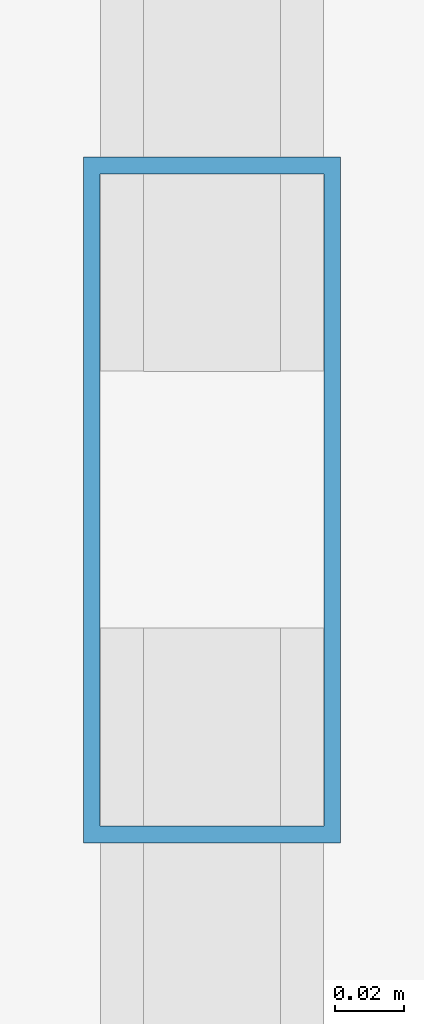
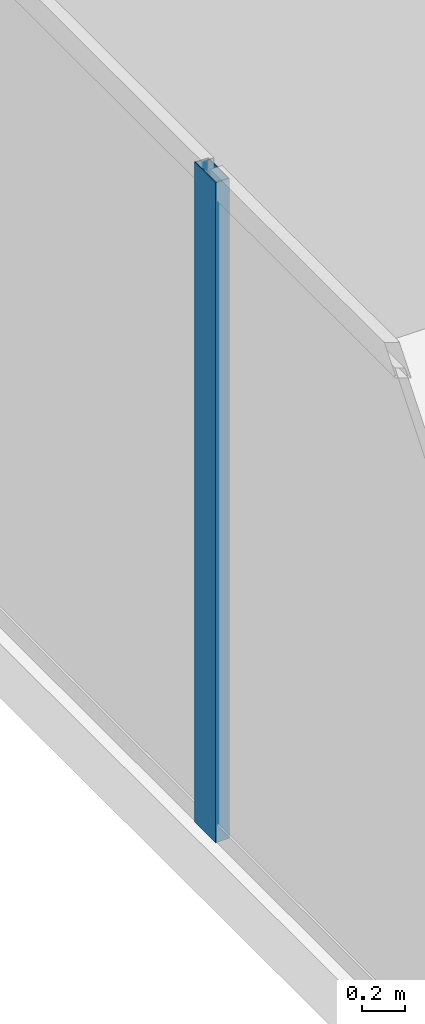
# One storey, part 8 of 30: 1 member, 1 element without a shape of its own.
"""IFC4 building model written with IfcOpenShell, lengths in metres."""

from ifc_helpers import new_model, si_unit, direction, frame, origin, origin_2d, place, context, subcontext, project, spatial, hollow_rectangle, extrude, source, transform, mapped, material, layer, layer_set, material_profile, profile_set, type_object, type_shapes, element, aggregate, save


model = new_model("IFC4")

# Units and contexts
model_context = context("Model", 3, precision=1e-05, world=origin(), true_north=direction((0.0, 1.0)))
body_context = subcontext(model_context, "Body", "Model", "MODEL_VIEW")
ifc_project = project(units=[si_unit("LENGTHUNIT", "METRE"), si_unit("AREAUNIT", "SQUARE_METRE"), si_unit("VOLUMEUNIT", "CUBIC_METRE"), si_unit("PLANEANGLEUNIT", "RADIAN"), si_unit("MASSUNIT", "GRAM", prefix="KILO")], contexts=[model_context])

# Site, building, storey
site_placement = place(None, origin())
site = spatial("IfcSite", under=ifc_project, at=site_placement, CompositionType="ELEMENT")
building_placement = place(site_placement, origin())
building = spatial("IfcBuilding", under=site, at=building_placement, Name="Haelvirn Gate Laboratories", CompositionType="ELEMENT")
storey_placement = place(building_placement, frame((0.0, 0.0, 105.10009765625)))
storey = spatial("IfcBuildingStorey", under=building, at=storey_placement, Name="L25", CompositionType="ELEMENT", Elevation=105.10009765625)

# Curtain wall, member
ifc_material_1 = material(Name="Anodised bronze unitised aluminium & triple low-E glass", Category="aluminium")
ifc_layer = layer(ifc_material_1, 0.179931640625, Name="CW-SYS-3")
ifc_layer_set = layer_set([ifc_layer], Name="Anodised bronze unitised aluminium & triple low-E glass")
curtain_wall_type = type_object("IfcCurtainWallType", Name="CW-SYS-3", PredefinedType="NOTDEFINED", material=ifc_layer_set)
curtain_wall_placement = place(storey_placement, origin())
curtain_wall = element("IfcCurtainWall", 1, at=curtain_wall_placement, inside=storey, type_object=curtain_wall_type, Name="L25 Unitised Curtain Wall CW-L25-P0-E17", PredefinedType="NOTDEFINED")
ifc_material_2 = material(Name="Extruded aluminium 6063-T6 (anodised bronze)", Category="aluminium")
ifc_material_profile = material_profile(ifc_material_2, hollow_rectangle(XDim=0.074951171875, YDim=0.199951171875, WallThickness=0.0048828125, at=origin_2d()), Name="CWM-200x75x5")
ifc_profile_set = profile_set([ifc_material_profile], Name="Extruded aluminium 6063-T6 (anodised bronze)")
member_type = type_object("IfcMemberType", Name="CWM-T200", PredefinedType="MULLION", material=ifc_profile_set)
shared_shape = source(origin(), body_context, "Body", "SweptSolid", [
    extrude(hollow_rectangle(XDim=0.074951171875, YDim=0.199951171875, WallThickness=0.0048828125, at=origin_2d()), origin(), (0.0, 0.0, 1.0), 3.789794921875),
])
type_shapes(member_type, [shared_shape])
member_placement = place(storey_placement, frame((2.10009765625, 30.966552734375, 0.0), z_axis=(0.0, 0.0, 1.0), x_axis=(1.0, 0.0, 0.0)))
member = element("IfcMember", 2, at=member_placement, type_object=member_type, Name="CW3 mullion 2", PredefinedType="MULLION", context=body_context, shape_type="MappedRepresentation", body=[
    mapped(shared_shape, transform((0.0, 0.0, 0.0), scale=1.0)),
])
aggregate(curtain_wall, [member])

save(model, "model.ifc")
